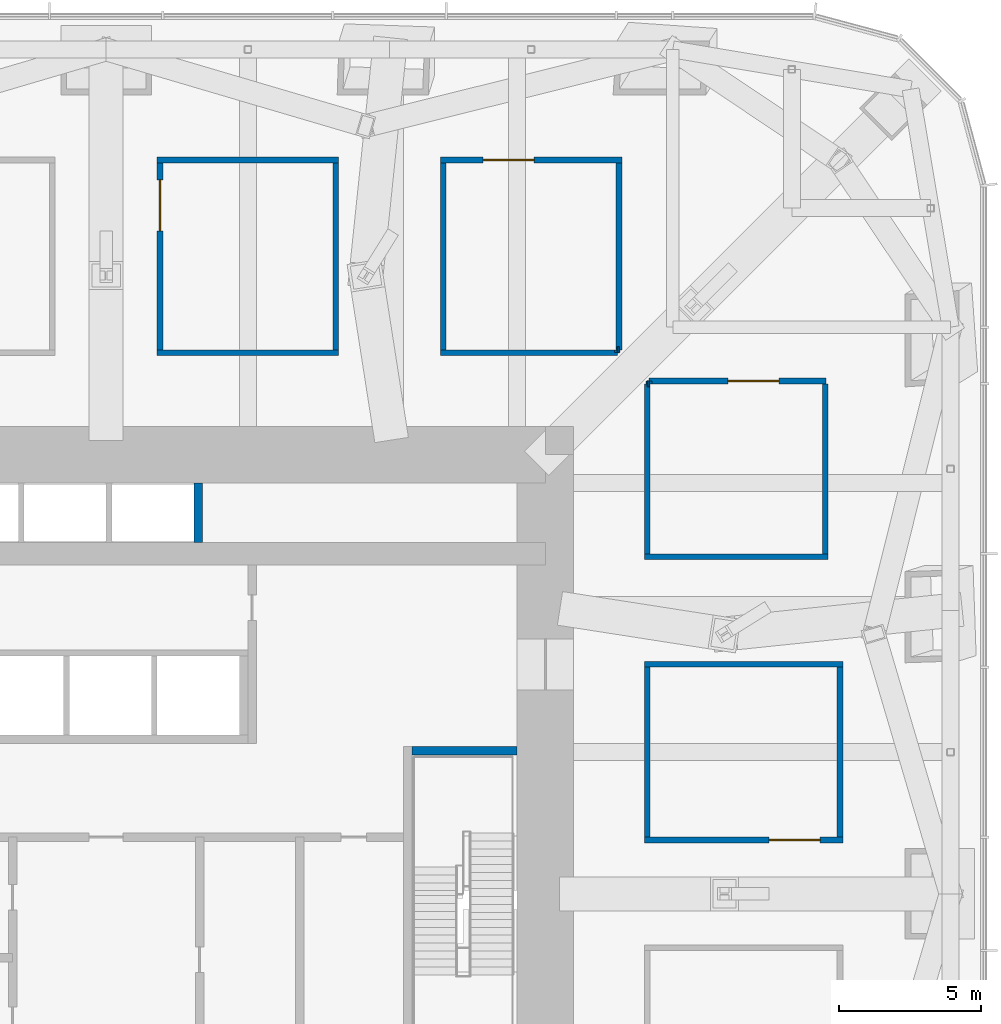
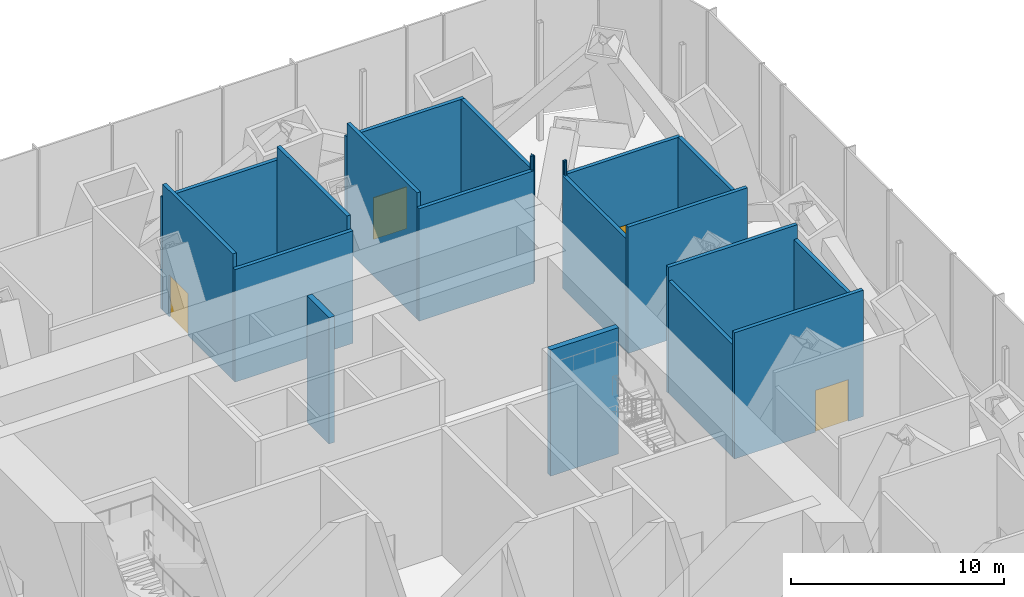
# One storey, part 17 of 20: 22 walls, 4 doors, 4 openings.
"""IFC4 building model written with IfcOpenShell, lengths in metres."""

from ifc_helpers import new_model, si_unit, direction, frame, frame_2d, origin, place, context, subcontext, project, spatial, rectangle, extrude, material, layer, layer_set, type_object, element, fill, save


model = new_model("IFC4")

# Units and contexts
model_context = context("Model", 3, precision=1e-05, world=origin(), true_north=direction((0.0, 1.0)))
body_context = subcontext(model_context, "Body", "Model", "MODEL_VIEW")
ifc_project = project(units=[si_unit("LENGTHUNIT", "METRE"), si_unit("AREAUNIT", "SQUARE_METRE"), si_unit("VOLUMEUNIT", "CUBIC_METRE"), si_unit("PLANEANGLEUNIT", "RADIAN"), si_unit("MASSUNIT", "GRAM", prefix="KILO")], contexts=[model_context])

# Site, building, storey
site_placement = place(None, origin())
site = spatial("IfcSite", under=ifc_project, at=site_placement, CompositionType="ELEMENT")
building_placement = place(site_placement, origin())
building = spatial("IfcBuilding", under=site, at=building_placement, Name="Khuree Lantern Residences", CompositionType="ELEMENT")
storey_placement = place(building_placement, frame((0.0, 0.0, 99.75)))
storey = spatial("IfcBuildingStorey", under=building, at=storey_placement, Name="L25", CompositionType="ELEMENT", Elevation=99.75)

# Wall
ifc_material_1 = material(Name="Dense concrete blockwork", Category="masonry")
ifc_layer_1 = layer(ifc_material_1, 0.300048828125)
ifc_layer_set_1 = layer_set([ifc_layer_1], Name="CORE PARTITION WALL CPW300 EI 120")
wall_type_1 = type_object("IfcWallType", Name="CORE PARTITION WALL CPW300 EI 120", PredefinedType="PARTITIONING", material=ifc_layer_set_1)
wall_1_placement = place(storey_placement, frame((3.25, 12.39990234375, 0.0), z_axis=(0.0, 0.0, 1.0), x_axis=(0.0, 1.0, 0.0)))
element("IfcWall", 1, at=wall_1_placement, inside=storey, type_object=wall_type_1, Name="L25 CORE WALL PLE", PredefinedType="PARTITIONING", context=body_context, shape_type="SweptSolid", body=[
    extrude(rectangle(XDim=2.10009765625, YDim=0.300048828125, at=frame_2d((1.050048828125, 0.0))), origin(), (0.0, 0.0, 1.0), 7.25),
])

# Wall, opening, door
ifc_layer_2 = layer(ifc_material_1, 0.199951171875)
ifc_layer_set_2 = layer_set([ifc_layer_2], Name="FIRE-RATED ROOM WALL FRW200 EI 120")
wall_type_2 = type_object("IfcWallType", Name="FIRE-RATED ROOM WALL FRW200 EI 120", PredefinedType="SOLIDWALL", material=ifc_layer_set_2)
wall_2_placement = place(storey_placement, frame((19.0, 1.89990234375, 0.0), z_axis=(0.0, 0.0, 1.0), x_axis=(1.0, 0.0, 0.0)))
wall_2 = element("IfcWall", 2, at=wall_2_placement, inside=storey, type_object=wall_type_2, Name="L25 ROOM WALL 42", PredefinedType="SOLIDWALL", context=body_context, shape_type="SweptSolid", body=[
    extrude(rectangle(XDim=7.0, YDim=0.199951171875, at=frame_2d((3.5, 0.0))), origin(), (0.0, 0.0, 1.0), 7.25),
])
opening_1_placement = place(wall_2_placement, frame((4.39990234375, 0.0, 0.0)))
opening_1 = element("IfcOpeningElement", 3, at=opening_1_placement, cuts=wall_2, Name="Opening 25-019", PredefinedType="OPENING", context=body_context, shape_type="SweptSolid", body=[
    extrude(rectangle(XDim=1.800048828125, YDim=2.39990234375, at=frame_2d((0.89990234375, 1.199951171875))), frame((0.0, 0.10986328125, 0.0), z_axis=(0.0, -1.0, 0.0), x_axis=(1.0, 0.0, 0.0)), (0.0, 0.0, 1.0), 0.219970703125),
])
ifc_material_2 = material(Name="Steel door leaf in steel frame", Category="steel")
door_type = type_object("IfcDoorType", Name="PLANT ROOM DOOR 1800X2400 EI 60", OperationType="DOUBLE_DOOR_SINGLE_SWING", PredefinedType="DOOR", material=ifc_material_2)
door_1_placement = place(opening_1_placement, origin())
door_1 = element("IfcDoor", 4, at=door_1_placement, inside=storey, type_object=door_type, Name="Booster pump plant room door 25-019", OperationType="DOUBLE_DOOR_SINGLE_SWING", OverallHeight=2.39990234375, OverallWidth=1.800048828125, PredefinedType="DOOR", context=body_context, shape_type="SweptSolid", body=[
    extrude(rectangle(XDim=1.800048828125, YDim=2.39990234375, at=frame_2d((0.89990234375, 1.199951171875))), frame((0.0, 0.02490234375, 0.0), z_axis=(0.0, -1.0, 0.0), x_axis=(1.0, 0.0, 0.0)), (0.0, 0.0, 1.0), 0.050048828125),
])
fill(opening_1, door_1)

# Walls
for number, where, z_axis, x_axis, name in (
    (5, (19.10009765625, 2.0, 0.0), (0.0, 0.0, 1.0), (0.0, 1.0, 0.0), "L25 ROOM WALL 45"),
    (6, (25.89990234375, 2.0, 0.0), (0.0, 0.0, 1.0), (0.0, 1.0, 0.0), "L25 ROOM WALL 46"),
):
    element("IfcWall", number, at=place(storey_placement, frame(where, z_axis=z_axis, x_axis=x_axis)), inside=storey, type_object=wall_type_2, Name=name, PredefinedType="SOLIDWALL", context=body_context, shape_type="SweptSolid", body=[
        extrude(rectangle(XDim=6.0, YDim=0.199951171875, at=frame_2d((3.0, 0.0))), origin(), (0.0, 0.0, 1.0), 6.4599609375),
    ])
wall_3_placement = place(storey_placement, frame((19.0, 8.10009765625, 0.0), z_axis=(0.0, 0.0, 1.0), x_axis=(1.0, 0.0, 0.0)))
element("IfcWall", 7, at=wall_3_placement, inside=storey, type_object=wall_type_2, Name="L25 ROOM WALL 48", PredefinedType="SOLIDWALL", context=body_context, shape_type="SweptSolid", body=[
    extrude(rectangle(XDim=7.0, YDim=0.199951171875, at=frame_2d((3.5, 0.0))), origin(), (0.0, 0.0, 1.0), 7.25),
])
wall_4_placement = place(storey_placement, frame((19.0, 11.89990234375, 0.0), z_axis=(0.0, 0.0, 1.0), x_axis=(1.0, 0.0, 0.0)))
element("IfcWall", 8, at=wall_4_placement, inside=storey, type_object=wall_type_2, Name="L25 ROOM WALL 50", PredefinedType="SOLIDWALL", context=body_context, shape_type="SweptSolid", body=[
    extrude(rectangle(XDim=6.47998046875, YDim=0.199951171875, at=frame_2d((3.239990234375, 0.0))), origin(), (0.0, 0.0, 1.0), 7.25),
])
for number, where, z_axis, x_axis, name in (
    (9, (19.10009765625, 12.0, 0.0), (0.0, 0.0, 1.0), (0.0, 1.0, 0.0), "L25 ROOM WALL 53"),
    (10, (25.3798828125, 12.0, 0.0), (0.0, 0.0, 1.0), (0.0, 1.0, 0.0), "L25 ROOM WALL 54"),
):
    element("IfcWall", number, at=place(storey_placement, frame(where, z_axis=z_axis, x_axis=x_axis)), inside=storey, type_object=wall_type_2, Name=name, PredefinedType="SOLIDWALL", context=body_context, shape_type="SweptSolid", body=[
        extrude(rectangle(XDim=6.0, YDim=0.199951171875, at=frame_2d((3.0, 0.0))), origin(), (0.0, 0.0, 1.0), 6.4599609375),
    ])
wall_5_placement = place(storey_placement, frame((19.160888671875, 18.0, 0.0), z_axis=(0.0, 0.0, 1.0), x_axis=(-1.0, 0.0, 0.0)))
element("IfcWall", 11, at=wall_5_placement, inside=storey, type_object=wall_type_2, Name="L25 ROOM WALL 56", PredefinedType="SOLIDWALL", context=body_context, shape_type="SweptSolid", body=[
    extrude(rectangle(XDim=0.060791015625, YDim=0.199951171875, at=frame_2d((0.0302734375, 0.0))), origin(), (0.0, 0.0, 1.0), 7.25),
])
wall_6_placement = place(storey_placement, frame((19.160888671875, 18.10009765625, 0.0), z_axis=(0.0, 0.0, 1.0), x_axis=(0.0, -1.0, 0.0)))
element("IfcWall", 12, at=wall_6_placement, inside=storey, type_object=wall_type_2, Name="L25 ROOM WALL 59", PredefinedType="SOLIDWALL", context=body_context, shape_type="SweptSolid", body=[
    extrude(rectangle(XDim=0.10009765625, YDim=0.199951171875, at=frame_2d((0.050048828125, 0.0))), origin(), (0.0, 0.0, 1.0), 7.25),
])

# Wall, opening, door
wall_7_placement = place(storey_placement, frame((19.160888671875, 18.10009765625, 0.0), z_axis=(0.0, 0.0, 1.0), x_axis=(1.0, 0.0, 0.0)))
wall_7 = element("IfcWall", 13, at=wall_7_placement, inside=storey, type_object=wall_type_2, Name="L25 ROOM WALL 60", PredefinedType="SOLIDWALL", context=body_context, shape_type="SweptSolid", body=[
    extrude(rectangle(XDim=6.239013671875, YDim=0.199951171875, at=frame_2d((3.11962890625, 0.0))), origin(), (0.0, 0.0, 1.0), 6.449951171875),
])
opening_2_placement = place(wall_7_placement, frame((2.783203125, 0.0, 0.0)))
opening_2 = element("IfcOpeningElement", 14, at=opening_2_placement, cuts=wall_7, Name="Opening 25-021", PredefinedType="OPENING", context=body_context, shape_type="SweptSolid", body=[
    extrude(rectangle(XDim=1.800048828125, YDim=2.39990234375, at=frame_2d((0.89990234375, 1.199951171875))), frame((0.0, 0.10986328125, 0.0), z_axis=(0.0, -1.0, 0.0), x_axis=(1.0, 0.0, 0.0)), (0.0, 0.0, 1.0), 0.219970703125),
])
door_2_placement = place(opening_2_placement, origin())
door_2 = element("IfcDoor", 15, at=door_2_placement, inside=storey, type_object=door_type, Name="Transformer room door 25-021", OperationType="DOUBLE_DOOR_SINGLE_SWING", OverallHeight=2.39990234375, OverallWidth=1.800048828125, PredefinedType="DOOR", context=body_context, shape_type="SweptSolid", body=[
    extrude(rectangle(XDim=1.800048828125, YDim=2.39990234375, at=frame_2d((0.89990234375, 1.199951171875))), frame((0.0, 0.02490234375, 0.0), z_axis=(0.0, -1.0, 0.0), x_axis=(1.0, 0.0, 0.0)), (0.0, 0.0, 1.0), 0.050048828125),
])
fill(opening_2, door_2)

# Walls
wall_8_placement = place(storey_placement, frame((1.800048828125, 19.10009765625, 0.0), z_axis=(0.0, 0.0, 1.0), x_axis=(1.0, 0.0, 0.0)))
element("IfcWall", 16, at=wall_8_placement, inside=storey, type_object=wall_type_2, Name="L25 ROOM WALL 64", PredefinedType="SOLIDWALL", context=body_context, shape_type="SweptSolid", body=[
    extrude(rectangle(XDim=6.39990234375, YDim=0.199951171875, at=frame_2d((3.199951171875, 0.0))), origin(), (0.0, 0.0, 1.0), 6.4599609375),
])
wall_9_placement = place(storey_placement, frame((11.800048828125, 19.10009765625, 0.0), z_axis=(0.0, 0.0, 1.0), x_axis=(1.0, 0.0, 0.0)))
element("IfcWall", 17, at=wall_9_placement, inside=storey, type_object=wall_type_2, Name="L25 ROOM WALL 65", PredefinedType="SOLIDWALL", context=body_context, shape_type="SweptSolid", body=[
    extrude(rectangle(XDim=6.2392578125, YDim=0.199951171875, at=frame_2d((3.11962890625, 0.0))), origin(), (0.0, 0.0, 1.0), 6.4599609375),
])
wall_10_placement = place(storey_placement, frame((18.039306640625, 19.10009765625, 0.0), z_axis=(0.0, 0.0, 1.0), x_axis=(0.0, 1.0, 0.0)))
element("IfcWall", 18, at=wall_10_placement, inside=storey, type_object=wall_type_2, Name="L25 ROOM WALL 66", PredefinedType="SOLIDWALL", context=body_context, shape_type="SweptSolid", body=[
    extrude(rectangle(XDim=0.099853515625, YDim=0.199951171875, at=frame_2d((0.0498046875, 0.0))), origin(), (0.0, 0.0, 1.0), 7.25),
])

# Wall, opening, door
wall_11_placement = place(storey_placement, frame((1.89990234375, 19.199951171875, 0.0), z_axis=(0.0, 0.0, 1.0), x_axis=(0.0, 1.0, 0.0)))
wall_11 = element("IfcWall", 19, at=wall_11_placement, inside=storey, type_object=wall_type_2, Name="L25 ROOM WALL 72", PredefinedType="SOLIDWALL", context=body_context, shape_type="SweptSolid", body=[
    extrude(rectangle(XDim=6.60009765625, YDim=0.199951171875, at=frame_2d((3.300048828125, 0.0))), origin(), (0.0, 0.0, 1.0), 7.25),
])
opening_3_placement = place(wall_11_placement, frame((4.199951171875, 0.0, 0.0)))
opening_3 = element("IfcOpeningElement", 20, at=opening_3_placement, cuts=wall_11, Name="Opening 25-022", PredefinedType="OPENING", context=body_context, shape_type="SweptSolid", body=[
    extrude(rectangle(XDim=1.800048828125, YDim=2.39990234375, at=frame_2d((0.89990234375, 1.199951171875))), frame((0.0, 0.10986328125, 0.0), z_axis=(0.0, -1.0, 0.0), x_axis=(1.0, 0.0, 0.0)), (0.0, 0.0, 1.0), 0.219970703125),
])
door_3_placement = place(opening_3_placement, origin())
door_3 = element("IfcDoor", 21, at=door_3_placement, inside=storey, type_object=door_type, Name="AHU plant room door 25-022", OperationType="DOUBLE_DOOR_SINGLE_SWING", OverallHeight=2.39990234375, OverallWidth=1.800048828125, PredefinedType="DOOR", context=body_context, shape_type="SweptSolid", body=[
    extrude(rectangle(XDim=1.800048828125, YDim=2.39990234375, at=frame_2d((0.89990234375, 1.199951171875))), frame((0.0, 0.02490234375, 0.0), z_axis=(0.0, -1.0, 0.0), x_axis=(1.0, 0.0, 0.0)), (0.0, 0.0, 1.0), 0.050048828125),
])
fill(opening_3, door_3)

# Walls
for number, where, z_axis, x_axis, name in (
    (22, (8.10009765625, 19.199951171875, 0.0), (0.0, 0.0, 1.0), (0.0, 1.0, 0.0), "L25 ROOM WALL 73"),
    (23, (11.89990234375, 19.199951171875, 0.0), (0.0, 0.0, 1.0), (0.0, 1.0, 0.0), "L25 ROOM WALL 74"),
):
    element("IfcWall", number, at=place(storey_placement, frame(where, z_axis=z_axis, x_axis=x_axis)), inside=storey, type_object=wall_type_2, Name=name, PredefinedType="SOLIDWALL", context=body_context, shape_type="SweptSolid", body=[
        extrude(rectangle(XDim=6.60009765625, YDim=0.199951171875, at=frame_2d((3.300048828125, 0.0))), origin(), (0.0, 0.0, 1.0), 7.25),
    ])
wall_12_placement = place(storey_placement, frame((18.039306640625, 19.199951171875, 0.0), z_axis=(0.0, 0.0, 1.0), x_axis=(1.0, 0.0, 0.0)))
element("IfcWall", 24, at=wall_12_placement, inside=storey, type_object=wall_type_2, Name="L25 ROOM WALL 75", PredefinedType="SOLIDWALL", context=body_context, shape_type="SweptSolid", body=[
    extrude(rectangle(XDim=0.060791015625, YDim=0.199951171875, at=frame_2d((0.0302734375, 0.0))), origin(), (0.0, 0.0, 1.0), 7.25),
])
wall_13_placement = place(storey_placement, frame((18.10009765625, 19.199951171875, 0.0), z_axis=(0.0, 0.0, 1.0), x_axis=(0.0, 1.0, 0.0)))
element("IfcWall", 25, at=wall_13_placement, inside=storey, type_object=wall_type_2, Name="L25 ROOM WALL 76", PredefinedType="SOLIDWALL", context=body_context, shape_type="SweptSolid", body=[
    extrude(rectangle(XDim=6.60009765625, YDim=0.199951171875, at=frame_2d((3.300048828125, 0.0))), origin(), (0.0, 0.0, 1.0), 6.449951171875),
])
wall_14_placement = place(storey_placement, frame((1.800048828125, 25.89990234375, 0.0), z_axis=(0.0, 0.0, 1.0), x_axis=(1.0, 0.0, 0.0)))
element("IfcWall", 26, at=wall_14_placement, inside=storey, type_object=wall_type_2, Name="L25 ROOM WALL 79", PredefinedType="SOLIDWALL", context=body_context, shape_type="SweptSolid", body=[
    extrude(rectangle(XDim=6.39990234375, YDim=0.199951171875, at=frame_2d((3.199951171875, 0.0))), origin(), (0.0, 0.0, 1.0), 6.4599609375),
])

# Wall, opening, door
wall_15_placement = place(storey_placement, frame((11.800048828125, 25.89990234375, 0.0), z_axis=(0.0, 0.0, 1.0), x_axis=(1.0, 0.0, 0.0)))
wall_15 = element("IfcWall", 27, at=wall_15_placement, inside=storey, type_object=wall_type_2, Name="L25 ROOM WALL 80", PredefinedType="SOLIDWALL", context=body_context, shape_type="SweptSolid", body=[
    extrude(rectangle(XDim=6.39990234375, YDim=0.199951171875, at=frame_2d((3.199951171875, 0.0))), origin(), (0.0, 0.0, 1.0), 6.449951171875),
])
opening_4_placement = place(wall_15_placement, frame((1.5, 0.0, 0.0)))
opening_4 = element("IfcOpeningElement", 28, at=opening_4_placement, cuts=wall_15, Name="Opening 25-024", PredefinedType="OPENING", context=body_context, shape_type="SweptSolid", body=[
    extrude(rectangle(XDim=1.800048828125, YDim=2.39990234375, at=frame_2d((0.89990234375, 1.199951171875))), frame((0.0, 0.10986328125, 0.0), z_axis=(0.0, -1.0, 0.0), x_axis=(1.0, 0.0, 0.0)), (0.0, 0.0, 1.0), 0.219970703125),
])
door_4_placement = place(opening_4_placement, origin())
door_4 = element("IfcDoor", 29, at=door_4_placement, inside=storey, type_object=door_type, Name="Communications plant room door 25-024", OperationType="DOUBLE_DOOR_SINGLE_SWING", OverallHeight=2.39990234375, OverallWidth=1.800048828125, PredefinedType="DOOR", context=body_context, shape_type="SweptSolid", body=[
    extrude(rectangle(XDim=1.800048828125, YDim=2.39990234375, at=frame_2d((0.89990234375, 1.199951171875))), frame((0.0, 0.02490234375, 0.0), z_axis=(0.0, -1.0, 0.0), x_axis=(1.0, 0.0, 0.0)), (0.0, 0.0, 1.0), 0.050048828125),
])
fill(opening_4, door_4)

# Wall
ifc_material_3 = material(Name="Concrete C50/60", Category="concrete")
ifc_layer_3 = layer(ifc_material_3, 0.300048828125)
ifc_layer_set_3 = layer_set([ifc_layer_3], Name="STAIR WALL SRW300 C50/60 REI 240")
wall_type_3 = type_object("IfcWallType", Name="STAIR WALL SRW300 C50/60 REI 240", PredefinedType="SOLIDWALL", material=ifc_layer_set_3)
wall_16_placement = place(storey_placement, frame((14.5, 5.050048828125, 0.0), z_axis=(0.0, 0.0, 1.0), x_axis=(-1.0, 0.0, 0.0)))
element("IfcWall", 30, at=wall_16_placement, inside=storey, type_object=wall_type_3, Name="L25 STAIR WALL ST2N", PredefinedType="SOLIDWALL", context=body_context, shape_type="SweptSolid", body=[
    extrude(rectangle(XDim=3.699951171875, YDim=0.300048828125, at=frame_2d((1.85009765625, 0.0))), origin(), (0.0, 0.0, 1.0), 7.25),
])

save(model, "model.ifc")
